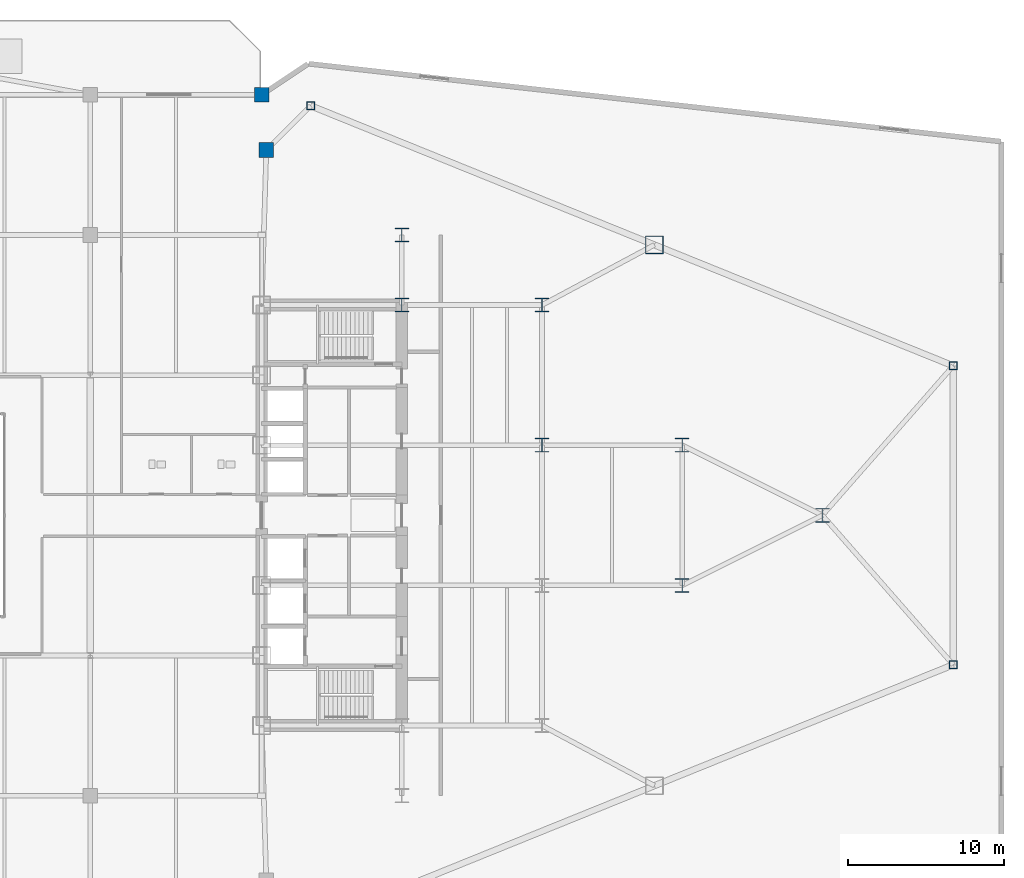
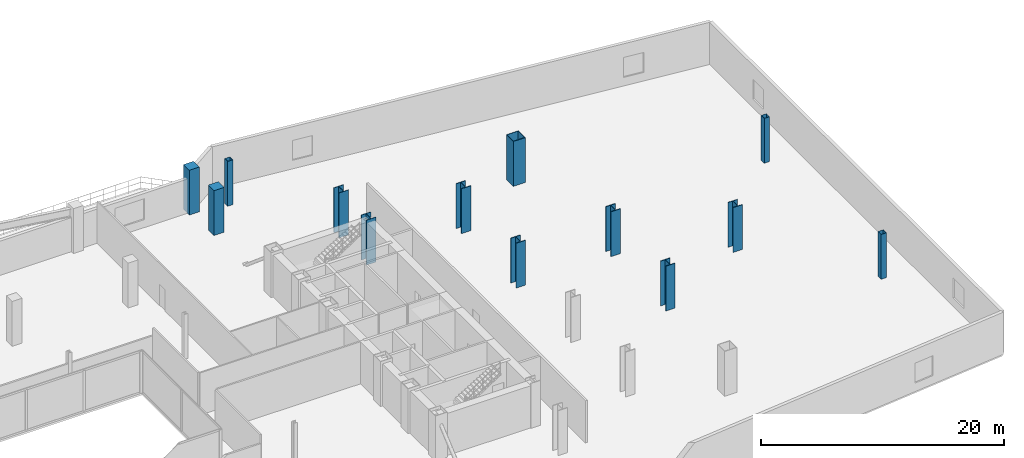
# One storey, part 8 of 25: 13 columns.
"""IFC4 building model written with IfcOpenShell, lengths in metres."""

from ifc_helpers import new_model, si_unit, direction, frame, origin, origin_2d, place, context, subcontext, project, spatial, rectangle, hollow_rectangle, i_section, extrude, source, transform, mapped, material, material_profile, profile_set, type_object, type_shapes, element, save


model = new_model("IFC4")

# Units and contexts
model_context = context("Model", 3, precision=1e-05, world=origin(), true_north=direction((0.0, 1.0)))
body_context = subcontext(model_context, "Body", "Model", "MODEL_VIEW")
ifc_project = project(units=[si_unit("LENGTHUNIT", "METRE"), si_unit("AREAUNIT", "SQUARE_METRE"), si_unit("VOLUMEUNIT", "CUBIC_METRE"), si_unit("PLANEANGLEUNIT", "RADIAN"), si_unit("MASSUNIT", "GRAM", prefix="KILO")], contexts=[model_context])

# Site, building, storey
site_placement = place(None, origin())
site = spatial("IfcSite", under=ifc_project, at=site_placement, CompositionType="ELEMENT")
building_placement = place(site_placement, origin())
building = spatial("IfcBuilding", under=site, at=building_placement, Name="Seokmaru Belvedere", CompositionType="ELEMENT")
storey_placement = place(building_placement, frame((0.0, 0.0, 5.39990234375)))
storey = spatial("IfcBuildingStorey", under=building, at=storey_placement, Name="L01", CompositionType="ELEMENT", Elevation=5.39990234375)

# Columns
ifc_material_1 = material(Name="Steel HSA650 (650 MPa)", Category="steel")
ifc_material_profile_1 = material_profile(ifc_material_1, hollow_rectangle(XDim=1.14990234375, YDim=1.14990234375, WallThickness=0.048095703125, at=origin_2d()), Name="BOX-1150x1150x48")
ifc_profile_set_1 = profile_set([ifc_material_profile_1], Name="Steel HSA650 (650 MPa)")
column_type_1 = type_object("IfcColumnType", Name="Portal Spine Column BOX-1150", PredefinedType="COLUMN", material=ifc_profile_set_1)
shared_shape_1 = source(origin(), body_context, "Body", "SweptSolid", [
    extrude(hollow_rectangle(XDim=1.14990234375, YDim=1.14990234375, WallThickness=0.048095703125, at=origin_2d()), origin(), (0.0, 0.0, 1.0), 4.5),
])
type_shapes(column_type_1, [shared_shape_1])
column_placement = place(storey_placement, frame((52.715576171875, 17.360595703125, 0.0), z_axis=(0.0, 0.0, 1.0), x_axis=(1.0, 0.0, 0.0)))
element("IfcColumn", 1, at=column_placement, inside=storey, type_object=column_type_1, Name="L01 Column EFLK_N2", PredefinedType="COLUMN", context=body_context, shape_type="MappedRepresentation", body=[
    mapped(shared_shape_1, transform((0.0, 0.0, 0.0), scale=1.0)),
])
ifc_material_2 = material(Name="Concrete C50 (50 MPa)", Category="concrete")
ifc_material_profile_2 = material_profile(ifc_material_2, rectangle(XDim=0.949951171875, YDim=0.949951171875, at=origin_2d()), Name="RC-950x950")
ifc_profile_set_2 = profile_set([ifc_material_profile_2], Name="Concrete C50 (50 MPa)")
column_type_2 = type_object("IfcColumnType", Name="Podium Substructure Column RC-950", PredefinedType="COLUMN", material=ifc_profile_set_2)
shared_shape_2 = source(origin(), body_context, "Body", "SweptSolid", [
    extrude(rectangle(XDim=0.949951171875, YDim=0.949951171875, at=origin_2d()), origin(), (0.0, 0.0, 1.0), 4.5),
])
type_shapes(column_type_2, [shared_shape_2])
for number, where, z_axis, x_axis, name in (
    (2, (27.5, 27.0, 0.0), (0.0, 0.0, 1.0), (1.0, 0.0, 0.0), "L01 Column EPS2"),
    (3, (27.800048828125, 23.451416015625, 0.0), (0.0, 0.0, 1.0), (1.0, 0.0, 0.0), "L01 Column EPM_N"),
):
    element("IfcColumn", number, at=place(storey_placement, frame(where, z_axis=z_axis, x_axis=x_axis)), inside=storey, type_object=column_type_2, Name=name, PredefinedType="COLUMN", context=body_context, shape_type="MappedRepresentation", body=[
        mapped(shared_shape_2, transform((0.0, 0.0, 0.0), scale=1.0)),
    ])
ifc_material_profile_3 = material_profile(ifc_material_1, i_section(OverallWidth=0.89990234375, OverallDepth=0.89990234375, WebThickness=0.035888671875, FlangeThickness=0.054931640625, at=origin_2d()), Name="H-900x900x36x55")
ifc_profile_set_3 = profile_set([ifc_material_profile_3], Name="Steel HSA650 (650 MPa)")
column_type_3 = type_object("IfcColumnType", Name="Lower Interior Column H-900", PredefinedType="COLUMN", material=ifc_profile_set_3)
shared_shape_3 = source(origin(), body_context, "Body", "SweptSolid", [
    extrude(i_section(OverallWidth=0.89990234375, OverallDepth=0.89990234375, WebThickness=0.035888671875, FlangeThickness=0.054931640625, at=origin_2d()), origin(), (0.0, 0.0, 1.0), 4.5),
])
type_shapes(column_type_3, [shared_shape_3])
for number, where, z_axis, x_axis, name in (
    (4, (36.5, 13.5, 0.0), (0.0, 0.0, 1.0), (1.0, 0.0, 0.0), "L01 Column EC3"),
    (5, (36.5, 18.0, 0.0), (0.0, 0.0, 1.0), (1.0, 0.0, 0.0), "L01 Column EC4"),
    (6, (45.5, 4.5, 0.0), (0.0, 0.0, 1.0), (1.0, 0.0, 0.0), "L01 Column EG5_3"),
    (7, (45.5, 13.5, 0.0), (0.0, 0.0, 1.0), (1.0, 0.0, 0.0), "L01 Column EG5_4"),
    (8, (54.5, -4.5, 0.0), (0.0, 0.0, 1.0), (1.0, 0.0, 0.0), "L01 Column EG4P_1"),
    (9, (54.5, 4.5, 0.0), (0.0, 0.0, 1.0), (1.0, 0.0, 0.0), "L01 Column EG4P_2"),
    (10, (63.5, 0.0, 0.0), (0.0, 0.0, 1.0), (1.0, 0.0, 0.0), "L01 Column EG3P_1"),
):
    element("IfcColumn", number, at=place(storey_placement, frame(where, z_axis=z_axis, x_axis=x_axis)), inside=storey, type_object=column_type_3, Name=name, PredefinedType="COLUMN", context=body_context, shape_type="MappedRepresentation", body=[
        mapped(shared_shape_3, transform((0.0, 0.0, 0.0), scale=1.0)),
    ])
ifc_material_3 = material(Name="Steel SM355 (355 MPa)", Category="steel")
ifc_material_profile_4 = material_profile(ifc_material_3, hollow_rectangle(XDim=0.5, YDim=0.5, WallThickness=0.02001953125, at=origin_2d()), Name="HSS-500x500x20")
ifc_profile_set_4 = profile_set([ifc_material_profile_4], Name="Steel SM355 (355 MPa)")
column_type_4 = type_object("IfcColumnType", Name="Perimeter Facet Column HSS-500", PredefinedType="COLUMN", material=ifc_profile_set_4)
shared_shape_4 = source(origin(), body_context, "Body", "SweptSolid", [
    extrude(hollow_rectangle(XDim=0.5, YDim=0.5, WallThickness=0.02001953125, at=origin_2d()), origin(), (0.0, 0.0, 1.0), 4.5),
])
type_shapes(column_type_4, [shared_shape_4])
for number, where, z_axis, x_axis, name in (
    (11, (71.89990234375, -9.595703125, 0.0), (0.0, 0.0, 1.0), (1.0, 0.0, 0.0), "L01 Column EF2"),
    (12, (71.89990234375, 9.595703125, 0.0), (0.0, 0.0, 1.0), (1.0, 0.0, 0.0), "L01 Column EF3"),
    (13, (30.643310546875, 26.294677734375, 0.0), (0.0, 0.0, 1.0), (1.0, 0.0, 0.0), "L01 Column EF4"),
):
    element("IfcColumn", number, at=place(storey_placement, frame(where, z_axis=z_axis, x_axis=x_axis)), inside=storey, type_object=column_type_4, Name=name, PredefinedType="COLUMN", context=body_context, shape_type="MappedRepresentation", body=[
        mapped(shared_shape_4, transform((0.0, 0.0, 0.0), scale=1.0)),
    ])

save(model, "model.ifc")
